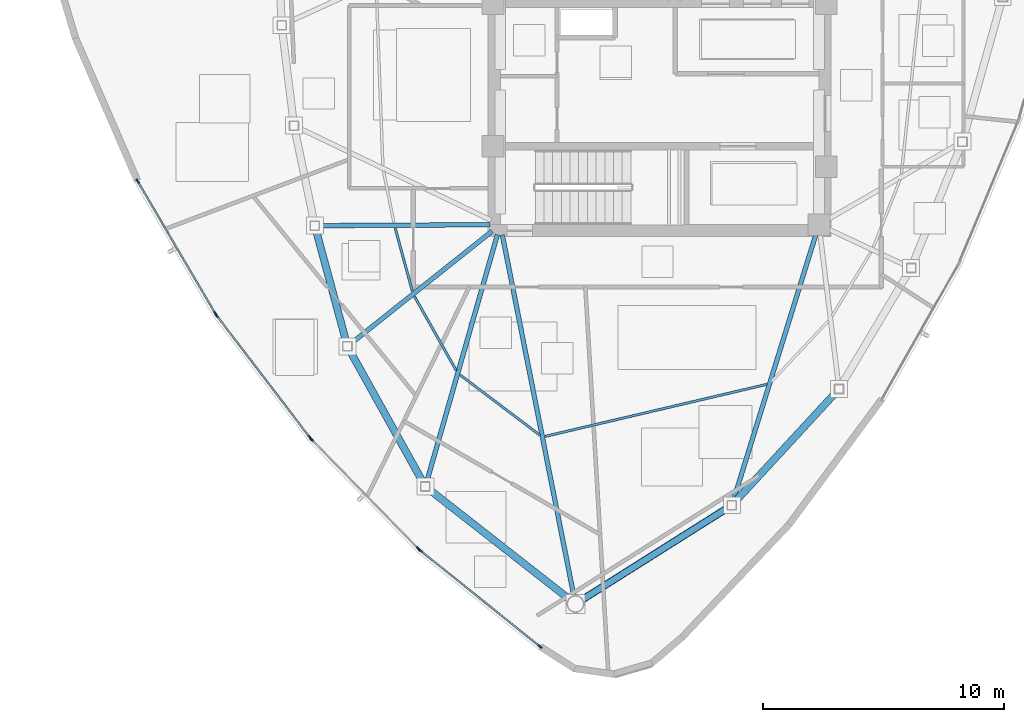
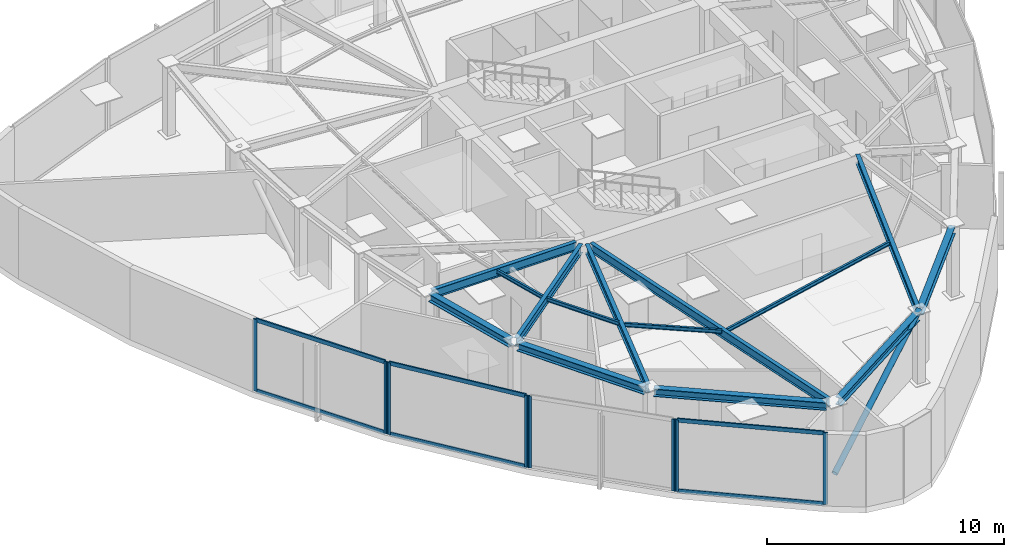
# One storey, part 2 of 11: 15 members, 14 beams, 4 elements without a shape of their own.
"""IFC4 building model written with IfcOpenShell, lengths in metres."""

from ifc_helpers import new_model, si_unit, direction, frame, origin, origin_2d, place, context, subcontext, project, spatial, hollow_rectangle, hollow_circle, i_section, extrude, source, transform, mapped, material, layer, layer_set, material_profile, profile_set, type_object, type_shapes, element, aggregate, save


model = new_model("IFC4")

# Units and contexts
model_context = context("Model", 3, precision=1e-05, world=origin(), true_north=direction((0.0, 1.0)))
body_context = subcontext(model_context, "Body", "Model", "MODEL_VIEW")
ifc_project = project(units=[si_unit("LENGTHUNIT", "METRE"), si_unit("AREAUNIT", "SQUARE_METRE"), si_unit("VOLUMEUNIT", "CUBIC_METRE"), si_unit("PLANEANGLEUNIT", "RADIAN"), si_unit("MASSUNIT", "GRAM", prefix="KILO")], contexts=[model_context])

# Site, building, storey
site_placement = place(None, origin())
site = spatial("IfcSite", under=ifc_project, at=site_placement, CompositionType="ELEMENT")
building_placement = place(site_placement, origin())
building = spatial("IfcBuilding", under=site, at=building_placement, Name="Tavelor Broadcast Tower", CompositionType="ELEMENT")
storey_placement = place(building_placement, frame((0.0, 0.0, 313.5)))
storey = spatial("IfcBuildingStorey", under=building, at=storey_placement, Name="L75", CompositionType="ELEMENT", Elevation=313.5)

# Beams
ifc_material_1 = material(Name="Steel S355", Category="steel")
ifc_material_profile_1 = material_profile(ifc_material_1, i_section(OverallWidth=0.10009765625, OverallDepth=0.199951171875, WebThickness=0.005615234375, FlangeThickness=0.008544921875, at=origin_2d()), Name="IPE 200")
ifc_profile_set_1 = profile_set([ifc_material_profile_1], Name="Steel S355")
beam_type_1 = type_object("IfcBeamType", Name="Composite Floor Joist T8 IPE 200", PredefinedType="JOIST", material=ifc_profile_set_1)
beam_1_placement = place(storey_placement, frame((39.047119140625, 38.656005859375, 3.60009765625), z_axis=(0.262422477479, -0.964953078296, 0.0), x_axis=(0.964953078296, 0.262422477479, 0.0)))
element("IfcBeam", 1, at=beam_1_placement, inside=storey, type_object=beam_type_1, Name="L75 Secondary Composite Floor Joist 04", PredefinedType="JOIST", context=body_context, shape_type="SweptSolid", body=[
    extrude(i_section(OverallWidth=0.10009765625, OverallDepth=0.199951171875, WebThickness=0.005615234375, FlangeThickness=0.008544921875, at=origin_2d()), origin(), (0.0, 0.0, 1.0), 2.705322265625),
])
beam_2_placement = place(storey_placement, frame((39.850341796875, 35.818115234375, 3.60009765625), z_axis=(0.491325237054, -0.870976183046, 0.0), x_axis=(0.870976183046, 0.491325237054, 0.0)))
element("IfcBeam", 2, at=beam_2_placement, inside=storey, type_object=beam_type_1, Name="L75 Secondary Composite Floor Joist 05", PredefinedType="JOIST", context=body_context, shape_type="SweptSolid", body=[
    extrude(i_section(OverallWidth=0.10009765625, OverallDepth=0.199951171875, WebThickness=0.005615234375, FlangeThickness=0.008544921875, at=origin_2d()), origin(), (0.0, 0.0, 1.0), 3.517578125),
])
beam_3_placement = place(storey_placement, frame((41.738037109375, 32.572021484375, 3.60009765625), z_axis=(0.798228709669, -0.602354486213, 0.0), x_axis=(0.602354486213, 0.798228709669, 0.0)))
element("IfcBeam", 3, at=beam_3_placement, inside=storey, type_object=beam_type_1, Name="L75 Secondary Composite Floor Joist 06", PredefinedType="JOIST", context=body_context, shape_type="SweptSolid", body=[
    extrude(i_section(OverallWidth=0.10009765625, OverallDepth=0.199951171875, WebThickness=0.005615234375, FlangeThickness=0.008544921875, at=origin_2d()), origin(), (0.0, 0.0, 1.0), 4.14306640625),
])
beam_4_placement = place(storey_placement, frame((45.264404296875, 30.0302734375, 3.60009765625), z_axis=(0.973517343803, 0.2286131696, 0.0), x_axis=(-0.2286131696, 0.973517343803, 0.0)))
element("IfcBeam", 4, at=beam_4_placement, inside=storey, type_object=beam_type_1, Name="L75 Secondary Composite Floor Joist 07", PredefinedType="JOIST", context=body_context, shape_type="SweptSolid", body=[
    extrude(i_section(OverallWidth=0.10009765625, OverallDepth=0.199951171875, WebThickness=0.005615234375, FlangeThickness=0.008544921875, at=origin_2d()), origin(), (0.0, 0.0, 1.0), 9.420166015625),
])
ifc_material_profile_2 = material_profile(ifc_material_1, i_section(OverallWidth=0.300048828125, OverallDepth=0.39990234375, WebThickness=0.013427734375, FlangeThickness=0.02392578125, at=origin_2d()), Name="HEB 400")
ifc_profile_set_2 = profile_set([ifc_material_profile_2], Name="Steel S355")
beam_type_2 = type_object("IfcBeamType", Name="Perimeter Spandrel Beam T8 HEB 400", PredefinedType="SPANDREL", material=ifc_profile_set_2)
beam_5_placement = place(storey_placement, frame((35.7666015625, 38.57177734375, 3.5), z_axis=(0.261091192609, -0.965314140134, 0.0), x_axis=(0.965314140134, 0.261091192609, 0.0)))
element("IfcBeam", 5, at=beam_5_placement, inside=storey, type_object=beam_type_2, Name="L75 Framed-Tube Ring Spandrel 04", PredefinedType="SPANDREL", context=body_context, shape_type="SweptSolid", body=[
    extrude(i_section(OverallWidth=0.300048828125, OverallDepth=0.39990234375, WebThickness=0.013427734375, FlangeThickness=0.02392578125, at=origin_2d()), origin(), (0.0, 0.0, 1.0), 4.793212890625),
])
beam_6_placement = place(storey_placement, frame((37.161376953125, 33.591796875, 3.5), z_axis=(0.485960824991, -0.87398059279, 0.0), x_axis=(0.87398059279, 0.485960824991, 0.0)))
element("IfcBeam", 6, at=beam_6_placement, inside=storey, type_object=beam_type_2, Name="L75 Framed-Tube Ring Spandrel 05", PredefinedType="SPANDREL", context=body_context, shape_type="SweptSolid", body=[
    extrude(i_section(OverallWidth=0.300048828125, OverallDepth=0.39990234375, WebThickness=0.013427734375, FlangeThickness=0.02392578125, at=origin_2d()), origin(), (0.0, 0.0, 1.0), 6.25927734375),
])
beam_7_placement = place(storey_placement, frame((40.44775390625, 27.835205078125, 3.5), z_axis=(0.787507799936, -0.616304685233, 0.0), x_axis=(0.616304685233, 0.787507799936, 0.0)))
element("IfcBeam", 7, at=beam_7_placement, inside=storey, type_object=beam_type_2, Name="L75 Framed-Tube Ring Spandrel 06", PredefinedType="SPANDREL", context=body_context, shape_type="SweptSolid", body=[
    extrude(i_section(OverallWidth=0.300048828125, OverallDepth=0.39990234375, WebThickness=0.013427734375, FlangeThickness=0.02392578125, at=origin_2d()), origin(), (0.0, 0.0, 1.0), 7.362548828125),
])
beam_8_placement = place(storey_placement, frame((46.80322265625, 23.26953125, 3.5), z_axis=(0.845619104197, 0.533786783855, 0.0), x_axis=(-0.533786783855, 0.845619104197, 0.0)))
element("IfcBeam", 8, at=beam_8_placement, inside=storey, type_object=beam_type_2, Name="L75 Framed-Tube Ring Spandrel 07", PredefinedType="SPANDREL", context=body_context, shape_type="SweptSolid", body=[
    extrude(i_section(OverallWidth=0.300048828125, OverallDepth=0.39990234375, WebThickness=0.013427734375, FlangeThickness=0.02392578125, at=origin_2d()), origin(), (0.0, 0.0, 1.0), 7.127685546875),
])
beam_9_placement = place(storey_placement, frame((53.123046875, 27.318115234375, 3.5), z_axis=(0.677791441508, 0.735254215778, 0.0), x_axis=(-0.735254215778, 0.677791441508, 0.0)))
element("IfcBeam", 9, at=beam_9_placement, inside=storey, type_object=beam_type_2, Name="L75 Framed-Tube Ring Spandrel 08", PredefinedType="SPANDREL", context=body_context, shape_type="SweptSolid", body=[
    extrude(i_section(OverallWidth=0.300048828125, OverallDepth=0.39990234375, WebThickness=0.013427734375, FlangeThickness=0.02392578125, at=origin_2d()), origin(), (0.0, 0.0, 1.0), 6.164794921875),
])

# Member
ifc_material_profile_3 = material_profile(ifc_material_1, hollow_circle(Radius=0.136474609375, WallThickness=0.012451171875, at=origin_2d()), Name="CHS 273x12.5")
ifc_profile_set_3 = profile_set([ifc_material_profile_3], Name="Steel S355")
member_type_1 = type_object("IfcMemberType", Name="Perimeter Tube Brace T8 CHS 273x12.5", PredefinedType="BRACE", material=ifc_profile_set_3)
member_1_placement = place(storey_placement, frame((46.5146484375, 23.08740234375, 0.0), z_axis=(0.761462376336, 0.480666847696, 0.434895885184), x_axis=(-0.533789146824, 0.845617612596, 0.0)))
element("IfcMember", 10, at=member_1_placement, inside=storey, type_object=member_type_1, Name="L75 Corner Tube Diagonal Brace 2", PredefinedType="BRACE", context=body_context, shape_type="SweptSolid", body=[
    extrude(hollow_circle(Radius=0.136474609375, WallThickness=0.012451171875, at=origin_2d()), origin(), (0.0, 0.0, 1.0), 8.507568359375),
])

# Beams
ifc_material_profile_4 = material_profile(ifc_material_1, i_section(OverallWidth=0.18994140625, OverallDepth=0.449951171875, WebThickness=0.009521484375, FlangeThickness=0.0146484375, at=origin_2d()), Name="IPE 450")
ifc_profile_set_4 = profile_set([ifc_material_profile_4], Name="Steel S355")
beam_type_3 = type_object("IfcBeamType", Name="Radial Floor Girder T8 IPE 450", PredefinedType="BEAM", material=ifc_profile_set_4)
beam_10_placement = place(storey_placement, frame((42.968017578125, 38.797607421875, 3.47509765625), z_axis=(-0.999984499874, -0.005567765406, 0.0), x_axis=(0.005567765406, -0.999984499874, 0.0)))
element("IfcBeam", 11, at=beam_10_placement, inside=storey, type_object=beam_type_3, Name="L75 Radial Primary Floor Girder 04", PredefinedType="BEAM", context=body_context, shape_type="SweptSolid", body=[
    extrude(i_section(OverallWidth=0.18994140625, OverallDepth=0.449951171875, WebThickness=0.009521484375, FlangeThickness=0.0146484375, at=origin_2d()), origin(), (0.0, 0.0, 1.0), 7.0595703125),
])
beam_11_placement = place(storey_placement, frame((43.06201171875, 38.531005859375, 3.47509765625), z_axis=(-0.782378063296, -0.622803794203, 0.0), x_axis=(0.622803794203, -0.782378063296, 0.0)))
element("IfcBeam", 12, at=beam_11_placement, inside=storey, type_object=beam_type_3, Name="L75 Radial Primary Floor Girder 05", PredefinedType="BEAM", context=body_context, shape_type="SweptSolid", body=[
    extrude(i_section(OverallWidth=0.18994140625, OverallDepth=0.449951171875, WebThickness=0.009521484375, FlangeThickness=0.0146484375, at=origin_2d()), origin(), (0.0, 0.0, 1.0), 7.46923828125),
])
beam_12_placement = place(storey_placement, frame((43.28125, 38.384765625, 3.47509765625), z_axis=(-0.275093242186, -0.961417551381, 0.0), x_axis=(0.961417551381, -0.275093242186, 0.0)))
element("IfcBeam", 13, at=beam_12_placement, inside=storey, type_object=beam_type_3, Name="L75 Radial Primary Floor Girder 06", PredefinedType="BEAM", context=body_context, shape_type="SweptSolid", body=[
    extrude(i_section(OverallWidth=0.18994140625, OverallDepth=0.449951171875, WebThickness=0.009521484375, FlangeThickness=0.0146484375, at=origin_2d()), origin(), (0.0, 0.0, 1.0), 10.65771484375),
])
beam_13_placement = place(storey_placement, frame((43.48388671875, 38.376220703125, 3.47509765625), z_axis=(0.194446659361, -0.980913093328, 0.0), x_axis=(0.980913093328, 0.194446659361, 0.0)))
element("IfcBeam", 14, at=beam_13_placement, inside=storey, type_object=beam_type_3, Name="L75 Radial Primary Floor Girder 07", PredefinedType="BEAM", context=body_context, shape_type="SweptSolid", body=[
    extrude(i_section(OverallWidth=0.18994140625, OverallDepth=0.449951171875, WebThickness=0.009521484375, FlangeThickness=0.0146484375, at=origin_2d()), origin(), (0.0, 0.0, 1.0), 15.2451171875),
])
beam_14_placement = place(storey_placement, frame((56.471923828125, 38.387451171875, 3.47509765625), z_axis=(-0.296386578424, -0.955068058376, 0.0), x_axis=(0.955068058376, -0.296386578424, 0.0)))
element("IfcBeam", 15, at=beam_14_placement, inside=storey, type_object=beam_type_3, Name="L75 Radial Primary Floor Girder 08", PredefinedType="BEAM", context=body_context, shape_type="SweptSolid", body=[
    extrude(i_section(OverallWidth=0.18994140625, OverallDepth=0.449951171875, WebThickness=0.009521484375, FlangeThickness=0.0146484375, at=origin_2d()), origin(), (0.0, 0.0, 1.0), 11.546142578125),
])

# Curtain wall, members
ifc_material_2 = material(Name="Architectural Anodized Aluminium", Category="aluminium")
ifc_layer = layer(ifc_material_2, 0.199951171875)
ifc_layer_set = layer_set([ifc_layer], Name="Architectural Anodized Aluminium")
curtain_wall_type = type_object("IfcCurtainWallType", Name="Tower High-Zone Triple-Glazed Curtain Wall CW04", PredefinedType="NOTDEFINED", material=ifc_layer_set)
curtain_wall_1_placement = place(storey_placement, origin())
curtain_wall_1 = element("IfcCurtainWall", 16, at=curtain_wall_1_placement, inside=storey, type_object=curtain_wall_type, Name="L75 Curtain Wall CW04 Run 829", PredefinedType="NOTDEFINED")
ifc_material_profile_5 = material_profile(ifc_material_2, hollow_rectangle(XDim=0.070068359375, YDim=0.199951171875, WallThickness=0.02197265625, at=origin_2d()), Name="RHS 70x200x22")
ifc_profile_set_5 = profile_set([ifc_material_profile_5], Name="Architectural Anodized Aluminium")
member_type_2 = type_object("IfcMemberType", Name="CW04 Extruded Aluminium Mullion 70x200", PredefinedType="MULLION", material=ifc_profile_set_5)
shared_shape_1 = source(origin(), body_context, "Body", "SweptSolid", [
    extrude(hollow_rectangle(XDim=0.070068359375, YDim=0.199951171875, WallThickness=0.02197265625, at=origin_2d()), origin(), (0.0, 0.0, 1.0), 3.699951171875),
])
type_shapes(member_type_2, [shared_shape_1])
member_2_placement = place(storey_placement, frame((28.377685546875, 40.599609375, 0.0), z_axis=(0.0, 0.0, 1.0), x_axis=(0.862299332276, 0.506398915437, 0.0)))
member_2 = element("IfcMember", 17, at=member_2_placement, type_object=member_type_2, Name="CW04 mullion 1", PredefinedType="MULLION", context=body_context, shape_type="MappedRepresentation", body=[
    mapped(shared_shape_1, transform((0.0, 0.0, 0.0), scale=1.0)),
])
member_3_placement = place(storey_placement, frame((31.59912109375, 35.114501953125, 0.0), z_axis=(0.0, 0.0, 1.0), x_axis=(0.862299332276, 0.506398915437, 0.0)))
member_3 = element("IfcMember", 18, at=member_3_placement, type_object=member_type_2, Name="CW04 mullion 2", PredefinedType="MULLION", context=body_context, shape_type="MappedRepresentation", body=[
    mapped(shared_shape_1, transform((0.0, 0.0, 0.0), scale=1.0)),
])

curtain_wall_2_placement = place(storey_placement, origin())
curtain_wall_2 = element("IfcCurtainWall", 19, at=curtain_wall_2_placement, inside=storey, type_object=curtain_wall_type, Name="L75 Curtain Wall CW04 Run 830", PredefinedType="NOTDEFINED")
member_4_placement = place(storey_placement, frame((31.65478515625, 35.031494140625, 0.0), z_axis=(0.0, 0.0, 1.0), x_axis=(0.794670485294, 0.607041036342, 0.0)))
member_4 = element("IfcMember", 20, at=member_4_placement, type_object=member_type_2, Name="CW04 mullion 1", PredefinedType="MULLION", context=body_context, shape_type="MappedRepresentation", body=[
    mapped(shared_shape_1, transform((0.0, 0.0, 0.0), scale=1.0)),
])
member_5_placement = place(storey_placement, frame((35.50732421875, 29.98828125, 0.0), z_axis=(0.0, 0.0, 1.0), x_axis=(0.794670485294, 0.607041036342, 0.0)))
member_5 = element("IfcMember", 21, at=member_5_placement, type_object=member_type_2, Name="CW04 mullion 2", PredefinedType="MULLION", context=body_context, shape_type="MappedRepresentation", body=[
    mapped(shared_shape_1, transform((0.0, 0.0, 0.0), scale=1.0)),
])

curtain_wall_3_placement = place(storey_placement, origin())
curtain_wall_3 = element("IfcCurtainWall", 22, at=curtain_wall_3_placement, inside=storey, type_object=curtain_wall_type, Name="L75 Curtain Wall CW04 Run 831", PredefinedType="NOTDEFINED")
member_6_placement = place(storey_placement, frame((35.572509765625, 29.91259765625, 0.0), z_axis=(0.0, 0.0, 1.0), x_axis=(0.715380346195, 0.698735257647, 0.0)))
member_6 = element("IfcMember", 23, at=member_6_placement, type_object=member_type_2, Name="CW04 mullion 1", PredefinedType="MULLION", context=body_context, shape_type="MappedRepresentation", body=[
    mapped(shared_shape_1, transform((0.0, 0.0, 0.0), scale=1.0)),
])
member_7_placement = place(storey_placement, frame((40.0068359375, 25.37255859375, 0.0), z_axis=(0.0, 0.0, 1.0), x_axis=(0.715380346195, 0.698735257647, 0.0)))
member_7 = element("IfcMember", 24, at=member_7_placement, type_object=member_type_2, Name="CW04 mullion 2", PredefinedType="MULLION", context=body_context, shape_type="MappedRepresentation", body=[
    mapped(shared_shape_1, transform((0.0, 0.0, 0.0), scale=1.0)),
])
aggregate(curtain_wall_3, [member_6, member_7])

curtain_wall_4_placement = place(storey_placement, origin())
curtain_wall_4 = element("IfcCurtainWall", 25, at=curtain_wall_4_placement, inside=storey, type_object=curtain_wall_type, Name="L75 Curtain Wall CW04 Run 832", PredefinedType="NOTDEFINED")
member_8_placement = place(storey_placement, frame((40.080810546875, 25.3056640625, 0.0), z_axis=(0.0, 0.0, 1.0), x_axis=(0.625572456893, 0.780166072819, 0.0)))
member_8 = element("IfcMember", 26, at=member_8_placement, type_object=member_type_2, Name="CW04 mullion 1", PredefinedType="MULLION", context=body_context, shape_type="MappedRepresentation", body=[
    mapped(shared_shape_1, transform((0.0, 0.0, 0.0), scale=1.0)),
])
member_9_placement = place(storey_placement, frame((45.044677734375, 21.325439453125, 0.0), z_axis=(0.0, 0.0, 1.0), x_axis=(0.625572456893, 0.780166072819, 0.0)))
member_9 = element("IfcMember", 27, at=member_9_placement, type_object=member_type_2, Name="CW04 mullion 2", PredefinedType="MULLION", context=body_context, shape_type="MappedRepresentation", body=[
    mapped(shared_shape_1, transform((0.0, 0.0, 0.0), scale=1.0)),
])

# Member
ifc_material_profile_6 = material_profile(ifc_material_2, hollow_rectangle(XDim=0.070068359375, YDim=0.199951171875, WallThickness=0.02197265625, at=origin_2d()), Name="RHS 70x200x22")
ifc_profile_set_6 = profile_set([ifc_material_profile_6], Name="Architectural Anodized Aluminium")
member_type_3 = type_object("IfcMemberType", Name="CW04 Extruded Aluminium Transom 70x200", PredefinedType="USERDEFINED", material=ifc_profile_set_6)
shared_shape_2 = source(origin(), body_context, "Body", "SweptSolid", [
    extrude(hollow_rectangle(XDim=0.070068359375, YDim=0.199951171875, WallThickness=0.02197265625, at=origin_2d()), origin(), (0.0, 0.0, 1.0), 6.291259765625),
])
member_10_placement = place(storey_placement, frame((28.3955078125, 40.569580078125, 0.034912109375), z_axis=(0.506380634343, -0.862310067877, 0.0), x_axis=(0.862310067877, 0.506380634343, 0.0)))
member_10 = element("IfcMember", 28, at=member_10_placement, type_object=member_type_3, Name="CW04 transom 1.1", ObjectType="TRANSOM", PredefinedType="USERDEFINED", context=body_context, shape_type="MappedRepresentation", body=[
    mapped(shared_shape_2, transform((0.0, 0.0, 0.0), scale=1.0)),
])

member_11_placement = place(storey_placement, frame((28.3955078125, 40.569580078125, 3.6650390625), z_axis=(0.506380634343, -0.862310067877, 0.0), x_axis=(0.862310067877, 0.506380634343, 0.0)))
member_11 = element("IfcMember", 29, at=member_11_placement, type_object=member_type_3, Name="CW04 transom 1.2", ObjectType="TRANSOM", PredefinedType="USERDEFINED", context=body_context, shape_type="MappedRepresentation", body=[
    mapped(shared_shape_2, transform((0.0, 0.0, 0.0), scale=1.0)),
])

aggregate(curtain_wall_1, [member_2, member_3, member_10, member_11])

shared_shape_3 = source(origin(), body_context, "Body", "SweptSolid", [
    extrude(hollow_rectangle(XDim=0.070068359375, YDim=0.199951171875, WallThickness=0.02197265625, at=origin_2d()), origin(), (0.0, 0.0, 1.0), 6.2763671875),
])
member_12_placement = place(storey_placement, frame((31.676025390625, 35.003662109375, 0.034912109375), z_axis=(0.607052976268, -0.794661364359, 0.0), x_axis=(0.794661364359, 0.607052976268, 0.0)))
member_12 = element("IfcMember", 30, at=member_12_placement, type_object=member_type_3, Name="CW04 transom 1.1", ObjectType="TRANSOM", PredefinedType="USERDEFINED", context=body_context, shape_type="MappedRepresentation", body=[
    mapped(shared_shape_3, transform((0.0, 0.0, 0.0), scale=1.0)),
])

member_13_placement = place(storey_placement, frame((31.676025390625, 35.003662109375, 3.6650390625), z_axis=(0.607052976268, -0.794661364359, 0.0), x_axis=(0.794661364359, 0.607052976268, 0.0)))
member_13 = element("IfcMember", 31, at=member_13_placement, type_object=member_type_3, Name="CW04 transom 1.2", ObjectType="TRANSOM", PredefinedType="USERDEFINED", context=body_context, shape_type="MappedRepresentation", body=[
    mapped(shared_shape_3, transform((0.0, 0.0, 0.0), scale=1.0)),
])

aggregate(curtain_wall_2, [member_4, member_5, member_12, member_13])

shared_shape_4 = source(origin(), body_context, "Body", "SweptSolid", [
    extrude(hollow_rectangle(XDim=0.070068359375, YDim=0.199951171875, WallThickness=0.02197265625, at=origin_2d()), origin(), (0.0, 0.0, 1.0), 6.29248046875),
])
type_shapes(member_type_3, [shared_shape_2, shared_shape_3, shared_shape_4])
member_14_placement = place(storey_placement, frame((40.108154296875, 25.28369140625, 0.034912109375), z_axis=(0.780175620534, -0.625560549526, 0.0), x_axis=(0.625560549526, 0.780175620534, 0.0)))
member_14 = element("IfcMember", 32, at=member_14_placement, type_object=member_type_3, Name="CW04 transom 1.1", ObjectType="TRANSOM", PredefinedType="USERDEFINED", context=body_context, shape_type="MappedRepresentation", body=[
    mapped(shared_shape_4, transform((0.0, 0.0, 0.0), scale=1.0)),
])

member_15_placement = place(storey_placement, frame((40.108154296875, 25.28369140625, 3.6650390625), z_axis=(0.780175620534, -0.625560549526, 0.0), x_axis=(0.625560549526, 0.780175620534, 0.0)))
member_15 = element("IfcMember", 33, at=member_15_placement, type_object=member_type_3, Name="CW04 transom 1.2", ObjectType="TRANSOM", PredefinedType="USERDEFINED", context=body_context, shape_type="MappedRepresentation", body=[
    mapped(shared_shape_4, transform((0.0, 0.0, 0.0), scale=1.0)),
])

aggregate(curtain_wall_4, [member_8, member_9, member_14, member_15])

save(model, "model.ifc")
